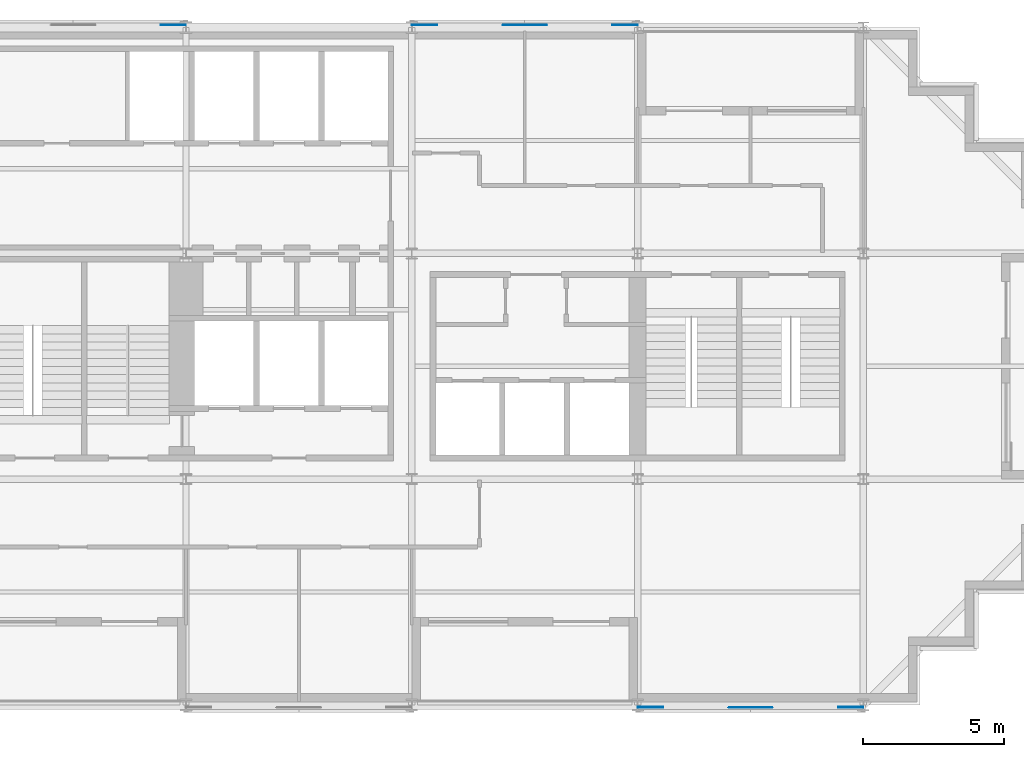
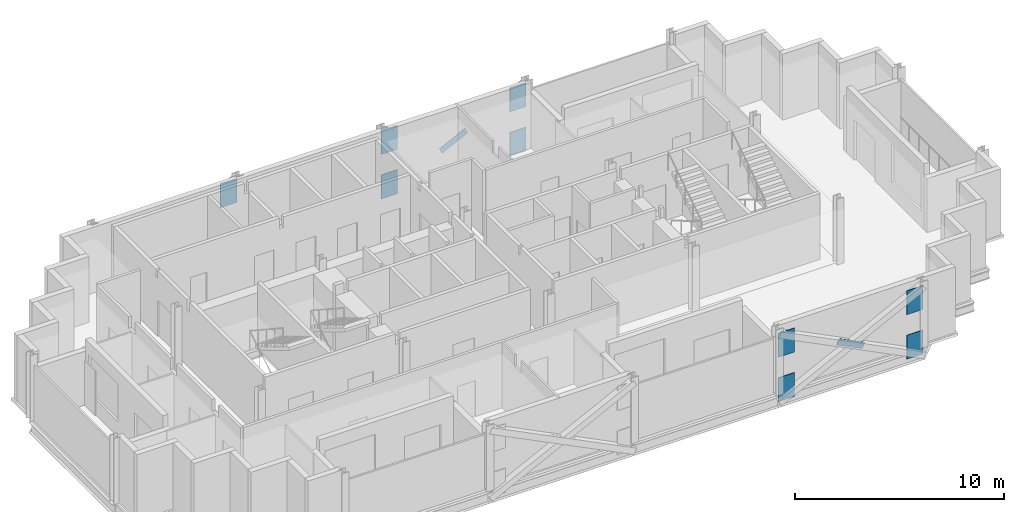
# One storey, part 6 of 7: 11 discrete accessories.
"""IFC4 building model written with IfcOpenShell, lengths in metres."""

from ifc_helpers import new_model, si_unit, direction, frame, origin, origin_2d, place, context, subcontext, project, spatial, rectangle, extrude, material, material_profile, profile_set, type_object, element, save


model = new_model("IFC4")

# Units and contexts
model_context = context("Model", 3, precision=1e-05, world=origin(), true_north=direction((0.0, 1.0)))
body_context = subcontext(model_context, "Body", "Model", "MODEL_VIEW")
ifc_project = project(units=[si_unit("LENGTHUNIT", "METRE"), si_unit("AREAUNIT", "SQUARE_METRE"), si_unit("VOLUMEUNIT", "CUBIC_METRE"), si_unit("PLANEANGLEUNIT", "RADIAN"), si_unit("MASSUNIT", "GRAM", prefix="KILO")], contexts=[model_context])

# Site, building, storey
site_placement = place(None, origin())
site = spatial("IfcSite", under=ifc_project, at=site_placement, CompositionType="ELEMENT")
building_placement = place(site_placement, origin())
building = spatial("IfcBuilding", under=site, at=building_placement, Name="Immortelle Media Tower", CompositionType="ELEMENT")
storey_placement = place(building_placement, frame((0.0, 0.0, 205.0)))
storey = spatial("IfcBuildingStorey", under=building, at=storey_placement, Name="L43", CompositionType="ELEMENT", Elevation=205.0)

# Discrete accessories
ifc_material = material(Name="Steel ASTM A572 Gr 50", Category="steel")
ifc_material_profile_1 = material_profile(ifc_material, rectangle(XDim=0.02392578125, YDim=0.35595703125, at=origin_2d()), Name="PL 24 x 356")
ifc_profile_set_1 = profile_set([ifc_material_profile_1], Name="Steel ASTM A572 Gr 50")
discrete_accessory_type_1 = type_object("IfcDiscreteAccessoryType", Name="Crossing plate XP-BR5 1600 x 356 x 24", PredefinedType="USERDEFINED", material=ifc_profile_set_1)
for number, where, z_axis, x_axis, name in (
    (1, (28.715576171875, 24.087890625, 1.90185546875), (-0.894427191, 0.0, -0.4472135955), (0.0, -1.0, 0.0), "Crossing plate XP-BR5 of Brace D/4-5 A and Brace D/4-5 B"),
    (2, (35.284423828125, -0.087890625, 1.90185546875), (0.894427191, 0.0, -0.4472135955), (0.0, 1.0, 0.0), "Crossing plate XP-BR5 of Brace A/5-6 A and Brace A/5-6 B"),
):
    element("IfcDiscreteAccessory", number, at=place(storey_placement, frame(where, z_axis=z_axis, x_axis=x_axis)), inside=storey, type_object=discrete_accessory_type_1, Name=name, ObjectType="CROSSING PLATE", PredefinedType="USERDEFINED", context=body_context, shape_type="SweptSolid", body=[
        extrude(rectangle(XDim=0.02392578125, YDim=0.35595703125, at=origin_2d()), origin(), (0.0, 0.0, 1.0), 1.60009765625),
    ])
ifc_material_profile_2 = material_profile(ifc_material, rectangle(XDim=0.031982421875, YDim=1.39990234375, at=origin_2d()), Name="PL 32 x 1400")
ifc_profile_set_2 = profile_set([ifc_material_profile_2], Name="Steel ASTM A572 Gr 50")
discrete_accessory_type_2 = type_object("IfcDiscreteAccessoryType", Name="Gusset plate GP1 900 x 1400 x 32", PredefinedType="USERDEFINED", material=ifc_profile_set_2)
for number, where, z_axis, x_axis, name in (
    (3, (32.0, -0.087890625, 0.243896484375), (1.0, 0.0, 0.0), (0.0, 1.0, 0.0), "Gusset plate GP1, lower end of Brace A/5-6 A"),
    (4, (40.0, -0.087890625, 2.843994140625), (-1.0, 0.0, 0.0), (0.0, -1.0, 0.0), "Gusset plate GP1, upper end of Brace A/5-6 A"),
    (5, (40.0, -0.087890625, 0.243896484375), (-1.0, 0.0, 0.0), (0.0, -1.0, 0.0), "Gusset plate GP1, lower end of Brace A/5-6 B"),
    (6, (32.0, -0.087890625, 2.843994140625), (1.0, 0.0, 0.0), (0.0, 1.0, 0.0), "Gusset plate GP1, upper end of Brace A/5-6 B"),
    (7, (32.0, 24.087890625, 0.243896484375), (-1.0, 0.0, 0.0), (0.0, -1.0, 0.0), "Gusset plate GP1, lower end of Brace D/4-5 A"),
    (8, (24.0, 24.087890625, 2.843994140625), (1.0, 0.0, 0.0), (0.0, 1.0, 0.0), "Gusset plate GP1, upper end of Brace D/4-5 A"),
    (9, (24.0, 24.087890625, 0.243896484375), (1.0, 0.0, 0.0), (0.0, 1.0, 0.0), "Gusset plate GP1, lower end of Brace D/4-5 B"),
    (10, (32.0, 24.087890625, 2.843994140625), (-1.0, 0.0, 0.0), (0.0, -1.0, 0.0), "Gusset plate GP1, upper end of Brace D/4-5 B"),
    (11, (16.0, 24.087890625, 2.843994140625), (-1.0, 0.0, 0.0), (0.0, -1.0, 0.0), "Gusset plate GP1, upper end of Brace D/2-3 B"),
):
    element("IfcDiscreteAccessory", number, at=place(storey_placement, frame(where, z_axis=z_axis, x_axis=x_axis)), inside=storey, type_object=discrete_accessory_type_2, Name=name, ObjectType="GUSSET PLATE", PredefinedType="USERDEFINED", context=body_context, shape_type="SweptSolid", body=[
        extrude(rectangle(XDim=0.031982421875, YDim=1.39990234375, at=origin_2d()), origin(), (0.0, 0.0, 1.0), 0.89990234375),
    ])

save(model, "model.ifc")
